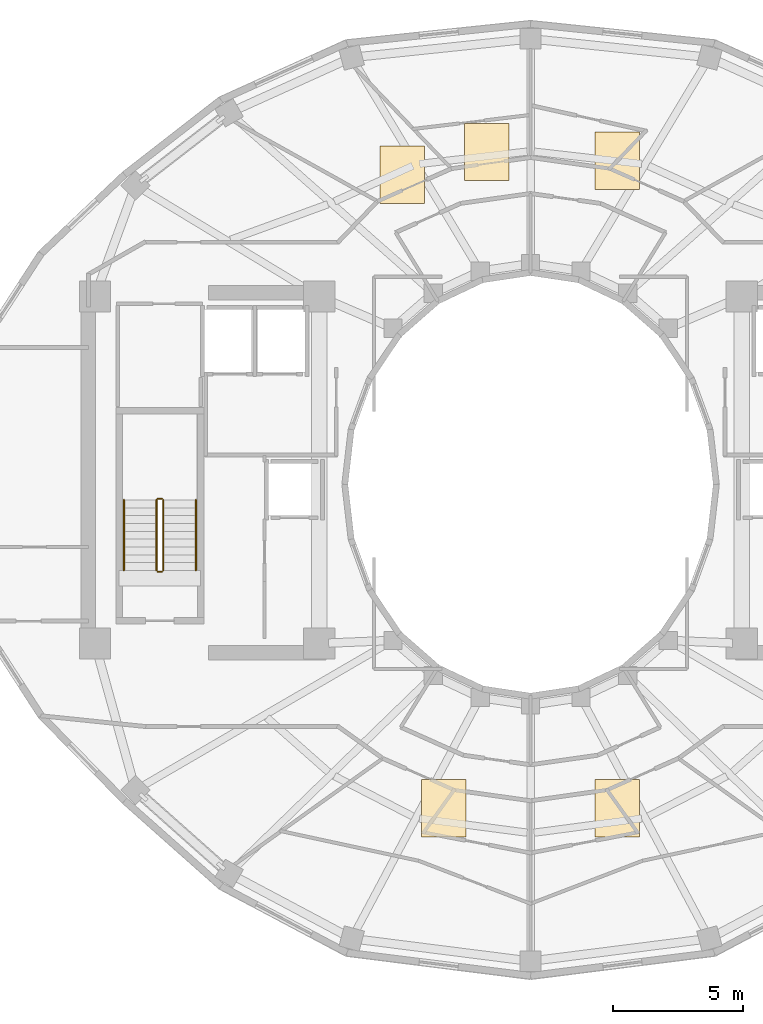
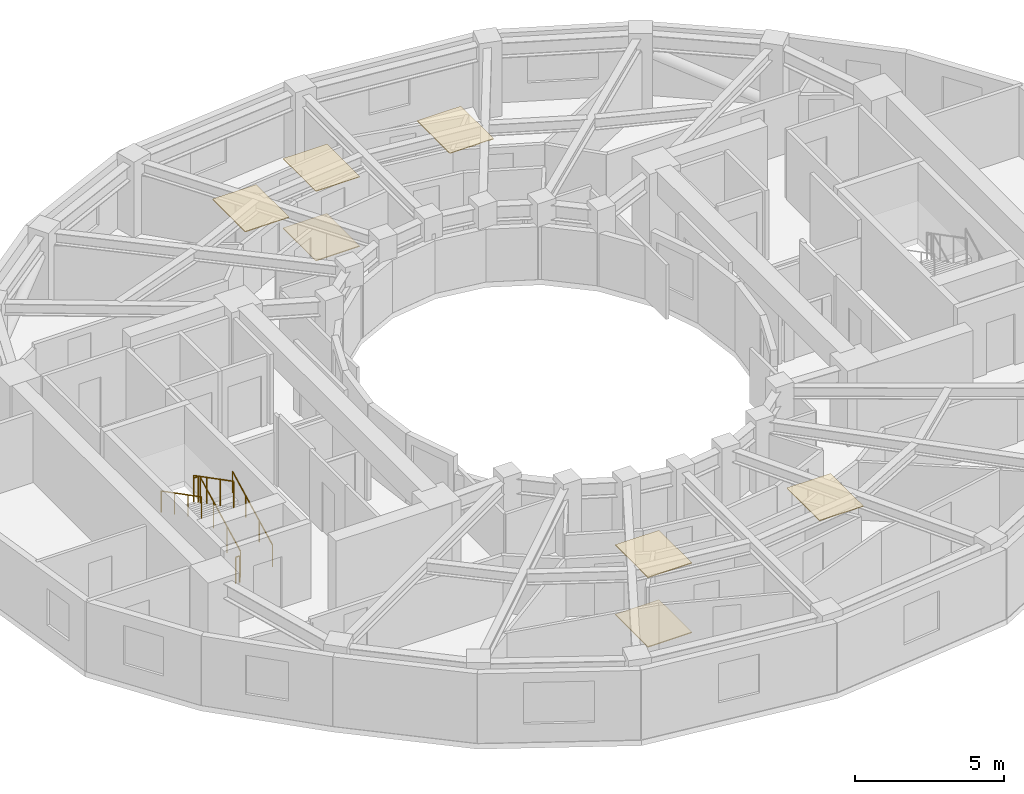
# One storey, part 8 of 9: 7 coverings, 6 railings.
"""IFC4 building model written with IfcOpenShell, lengths in metres."""

from ifc_helpers import new_model, si_unit, direction, frame, origin, origin_2d, place, context, subcontext, project, spatial, polyline, circle, outline, extrude, material, layer, layer_set, type_object, element, save


model = new_model("IFC4")

# Units and contexts
model_context = context("Model", 3, precision=1e-05, world=origin(), true_north=direction((0.0, 1.0)))
body_context = subcontext(model_context, "Body", "Model", "MODEL_VIEW")
ifc_project = project(units=[si_unit("LENGTHUNIT", "METRE"), si_unit("AREAUNIT", "SQUARE_METRE"), si_unit("VOLUMEUNIT", "CUBIC_METRE"), si_unit("PLANEANGLEUNIT", "RADIAN"), si_unit("MASSUNIT", "GRAM", prefix="KILO")], contexts=[model_context])

# Site, building, storey
site_placement = place(None, origin())
site = spatial("IfcSite", under=ifc_project, at=site_placement, CompositionType="ELEMENT")
building_placement = place(site_placement, origin())
building = spatial("IfcBuilding", under=site, at=building_placement, Name="Solvane Sanctuary Tower", CompositionType="ELEMENT")
storey_placement = place(building_placement, frame((0.0, 0.0, 223.300048828125)))
storey = spatial("IfcBuildingStorey", under=building, at=storey_placement, Name="L68", CompositionType="ELEMENT", Elevation=223.300048828125)

# Coverings
ifc_material_1 = material(Name="Acoustic Gypsum Partition Board")
ifc_layer_1 = layer(ifc_material_1, 0.02490234375, Name="Acoustic Gypsum Partition Board")
ifc_layer_set_1 = layer_set([ifc_layer_1], Name="Acoustic Gypsum Partition Board")
covering_type_1 = type_object("IfcCoveringType", Name="Covering CLG-ACOUST", PredefinedType="CEILING", material=ifc_layer_set_1)
covering_1_placement = place(storey_placement, frame((0.0, 0.0, 2.849853515625)))
element("IfcCovering", 1, at=covering_1_placement, inside=storey, type_object=covering_type_1, Name="L68 Unit Acoustic Ceiling Panel 1", PredefinedType="CEILING", context=body_context, shape_type="SweptSolid", body=[
    extrude(outline(polyline([(34.47607421875, 34.31201171875), (36.176025390625, 34.31201171875), (36.176025390625, 36.511962890625), (34.47607421875, 36.511962890625), (34.47607421875, 34.31201171875)])), origin(), (0.0, 0.0, 1.0), 0.030029296875),
])
covering_2_placement = place(storey_placement, frame((0.0, 0.0, 2.849853515625)))
element("IfcCovering", 2, at=covering_2_placement, inside=storey, type_object=covering_type_1, Name="L68 Unit Acoustic Ceiling Panel 2", PredefinedType="CEILING", context=body_context, shape_type="SweptSolid", body=[
    extrude(outline(polyline([(29.472900390625, 34.639892578125), (31.173095703125, 34.639892578125), (31.173095703125, 36.840087890625), (29.472900390625, 36.840087890625), (29.472900390625, 34.639892578125)])), origin(), (0.0, 0.0, 1.0), 0.030029296875),
])
covering_3_placement = place(storey_placement, frame((0.0, 0.0, 2.849853515625)))
element("IfcCovering", 3, at=covering_3_placement, inside=storey, type_object=covering_type_1, Name="L68 Unit Acoustic Ceiling Panel 3", PredefinedType="CEILING", context=body_context, shape_type="SweptSolid", body=[
    extrude(outline(polyline([(26.23291015625, 33.77197265625), (27.93310546875, 33.77197265625), (27.93310546875, 35.971923828125), (26.23291015625, 35.971923828125), (26.23291015625, 33.77197265625)])), origin(), (0.0, 0.0, 1.0), 0.030029296875),
])
covering_4_placement = place(storey_placement, frame((0.0, 0.0, 2.849853515625)))
element("IfcCovering", 4, at=covering_4_placement, inside=storey, type_object=covering_type_1, Name="L68 Unit Acoustic Ceiling Panel 4", PredefinedType="CEILING", context=body_context, shape_type="SweptSolid", body=[
    extrude(outline(polyline([(27.823974609375, 9.488037109375), (29.52392578125, 9.488037109375), (29.52392578125, 11.68798828125), (27.823974609375, 11.68798828125), (27.823974609375, 9.488037109375)])), origin(), (0.0, 0.0, 1.0), 0.030029296875),
])
covering_5_placement = place(storey_placement, frame((0.0, 0.0, 2.849853515625)))
element("IfcCovering", 5, at=covering_5_placement, inside=storey, type_object=covering_type_1, Name="L68 Unit Acoustic Ceiling Panel 5", PredefinedType="CEILING", context=body_context, shape_type="SweptSolid", body=[
    extrude(outline(polyline([(34.47607421875, 9.488037109375), (36.176025390625, 9.488037109375), (36.176025390625, 11.68798828125), (34.47607421875, 11.68798828125), (34.47607421875, 9.488037109375)])), origin(), (0.0, 0.0, 1.0), 0.030029296875),
])
ifc_material_2 = material(Name="Ceramic Tile Finish")
ifc_layer_2 = layer(ifc_material_2, 0.030029296875, Name="Ceramic Tile Finish")
ifc_layer_set_2 = layer_set([ifc_layer_2], Name="Ceramic Tile Finish")
covering_type_2 = type_object("IfcCoveringType", Name="Covering FLR-TERRAZZO", PredefinedType="FLOORING", material=ifc_layer_set_2)
covering_6_placement = place(storey_placement, origin())
element("IfcCovering", 6, at=covering_6_placement, inside=storey, type_object=covering_type_2, Name="L68 Unit Terrazzo Inlay 2", PredefinedType="FLOORING", context=body_context, shape_type="SweptSolid", body=[
    extrude(outline(polyline([(29.472900390625, 34.639892578125), (31.173095703125, 34.639892578125), (31.173095703125, 36.840087890625), (29.472900390625, 36.840087890625), (29.472900390625, 34.639892578125)])), origin(), (0.0, 0.0, 1.0), 0.034912109375),
])
covering_7_placement = place(storey_placement, origin())
element("IfcCovering", 7, at=covering_7_placement, inside=storey, type_object=covering_type_2, Name="L68 Unit Terrazzo Inlay 4", PredefinedType="FLOORING", context=body_context, shape_type="SweptSolid", body=[
    extrude(outline(polyline([(27.823974609375, 9.488037109375), (29.52392578125, 9.488037109375), (29.52392578125, 11.68798828125), (27.823974609375, 11.68798828125), (27.823974609375, 9.488037109375)])), origin(), (0.0, 0.0, 1.0), 0.034912109375),
])

# Railings
ifc_material_3 = material(Name="Architectural Stainless Steel 316", Category="steel")
railing_type_1 = type_object("IfcRailingType", Name="Railing GR-BALC-1150", PredefinedType="BALUSTRADE", material=ifc_material_3)
railing_1_placement = place(storey_placement, frame((17.919921875, 19.699951171875, 0.155029296875)))
element("IfcRailing", 8, at=railing_1_placement, inside=storey, type_object=railing_type_1, Name="L68 ST-1 stair guard 1", PredefinedType="BALUSTRADE", context=body_context, shape_type="SweptSolid", body=[
    extrude(circle(Radius=0.02392578125, at=origin_2d()), frame((0.0, 0.0, 1.076171875), z_axis=(0.0, 0.888419900624, 0.459031676658), x_axis=(-1.0, 0.0, 0.0)), (0.0, 0.0, 1.0), 3.0390625),
    extrude(circle(Radius=0.02099609375, at=origin_2d()), origin(), (0.0, 0.0, 1.0), 1.052001953125),
    extrude(circle(Radius=0.02099609375, at=origin_2d()), frame((0.0, 0.89990234375, 0.465087890625)), (0.0, 0.0, 1.0), 1.052001953125),
    extrude(circle(Radius=0.02099609375, at=origin_2d()), frame((0.0, 1.800048828125, 0.929931640625)), (0.0, 0.0, 1.0), 1.052001953125),
    extrude(circle(Radius=0.02099609375, at=origin_2d()), frame((0.0, 2.699951171875, 1.39501953125)), (0.0, 0.0, 1.0), 1.052001953125),
])
railing_2_placement = place(storey_placement, frame((17.8701171875, 22.449951171875, 1.550048828125)))
element("IfcRailing", 9, at=railing_2_placement, inside=storey, type_object=railing_type_1, Name="L68 ST-1 stair guard 2", PredefinedType="BALUSTRADE", context=body_context, shape_type="SweptSolid", body=[
    extrude(circle(Radius=0.02392578125, at=origin_2d()), frame((0.0, 0.0, 1.076171875), z_axis=(-1.0, 0.0, 0.0), x_axis=(0.0, -1.0, 0.0)), (0.0, 0.0, 1.0), 0.16015625),
    extrude(circle(Radius=0.02099609375, at=origin_2d()), origin(), (0.0, 0.0, 1.0), 1.052001953125),
    extrude(circle(Radius=0.02099609375, at=origin_2d()), frame((-0.16015625, 0.0, 0.0)), (0.0, 0.0, 1.0), 1.052001953125),
])
railing_3_placement = place(storey_placement, frame((17.659912109375, 22.39990234375, 1.704833984375)))
element("IfcRailing", 10, at=railing_3_placement, inside=storey, type_object=railing_type_1, Name="L68 ST-1 stair guard 3", PredefinedType="BALUSTRADE", context=body_context, shape_type="SweptSolid", body=[
    extrude(circle(Radius=0.02392578125, at=origin_2d()), frame((0.0, 0.0, 1.076171875), z_axis=(0.0, -0.888419900624, 0.459031676658), x_axis=(1.0, 0.0, 0.0)), (0.0, 0.0, 1.0), 3.0390625),
    extrude(circle(Radius=0.02099609375, at=origin_2d()), origin(), (0.0, 0.0, 1.0), 1.052001953125),
    extrude(circle(Radius=0.02099609375, at=origin_2d()), frame((0.0, -0.89990234375, 0.465087890625)), (0.0, 0.0, 1.0), 1.052001953125),
    extrude(circle(Radius=0.02099609375, at=origin_2d()), frame((0.0, -1.800048828125, 0.929931640625)), (0.0, 0.0, 1.0), 1.052001953125),
    extrude(circle(Radius=0.02099609375, at=origin_2d()), frame((0.0, -2.699951171875, 1.39501953125)), (0.0, 0.0, 1.0), 1.052001953125),
])
railing_4_placement = place(storey_placement, frame((17.8701171875, 19.64990234375, 0.0)))
element("IfcRailing", 11, at=railing_4_placement, inside=storey, type_object=railing_type_1, Name="L68 ST-1 stair guard 4", PredefinedType="BALUSTRADE", context=body_context, shape_type="SweptSolid", body=[
    extrude(circle(Radius=0.02392578125, at=origin_2d()), frame((0.0, 0.0, 1.076171875), z_axis=(-1.0, 0.0, 0.0), x_axis=(0.0, -1.0, 0.0)), (0.0, 0.0, 1.0), 0.16015625),
    extrude(circle(Radius=0.02099609375, at=origin_2d()), origin(), (0.0, 0.0, 1.0), 1.052001953125),
    extrude(circle(Radius=0.02099609375, at=origin_2d()), frame((-0.16015625, 0.0, 0.0)), (0.0, 0.0, 1.0), 1.052001953125),
])
railing_type_2 = type_object("IfcRailingType", Name="Railing HR-STAIR-920", PredefinedType="HANDRAIL", material=ifc_material_3)
railing_5_placement = place(storey_placement, frame((19.169921875, 19.699951171875, 0.155029296875)))
element("IfcRailing", 12, at=railing_5_placement, inside=storey, type_object=railing_type_2, Name="L68 ST-1 stair handrail 1", PredefinedType="HANDRAIL", context=body_context, shape_type="SweptSolid", body=[
    extrude(circle(Radius=0.02392578125, at=origin_2d()), frame((0.0, 0.0, 0.8759765625), z_axis=(0.0, 0.888419900624, 0.459031676658), x_axis=(-1.0, 0.0, 0.0)), (0.0, 0.0, 1.0), 3.0390625),
    extrude(circle(Radius=0.02099609375, at=origin_2d()), origin(), (0.0, 0.0, 1.0), 0.851806640625),
    extrude(circle(Radius=0.02099609375, at=origin_2d()), frame((0.0, 0.89990234375, 0.465087890625)), (0.0, 0.0, 1.0), 0.851806640625),
    extrude(circle(Radius=0.02099609375, at=origin_2d()), frame((0.0, 1.800048828125, 0.929931640625)), (0.0, 0.0, 1.0), 0.851806640625),
    extrude(circle(Radius=0.02099609375, at=origin_2d()), frame((0.0, 2.699951171875, 1.39501953125)), (0.0, 0.0, 1.0), 0.851806640625),
])
railing_6_placement = place(storey_placement, frame((16.409912109375, 22.39990234375, 1.704833984375)))
element("IfcRailing", 13, at=railing_6_placement, inside=storey, type_object=railing_type_2, Name="L68 ST-1 stair handrail 2", PredefinedType="HANDRAIL", context=body_context, shape_type="SweptSolid", body=[
    extrude(circle(Radius=0.02392578125, at=origin_2d()), frame((0.0, 0.0, 0.8759765625), z_axis=(0.0, -0.888419900624, 0.459031676658), x_axis=(1.0, 0.0, 0.0)), (0.0, 0.0, 1.0), 3.0390625),
    extrude(circle(Radius=0.02099609375, at=origin_2d()), origin(), (0.0, 0.0, 1.0), 0.851806640625),
    extrude(circle(Radius=0.02099609375, at=origin_2d()), frame((0.0, -0.89990234375, 0.465087890625)), (0.0, 0.0, 1.0), 0.851806640625),
    extrude(circle(Radius=0.02099609375, at=origin_2d()), frame((0.0, -1.800048828125, 0.929931640625)), (0.0, 0.0, 1.0), 0.851806640625),
    extrude(circle(Radius=0.02099609375, at=origin_2d()), frame((0.0, -2.699951171875, 1.39501953125)), (0.0, 0.0, 1.0), 0.851806640625),
])

save(model, "model.ifc")
